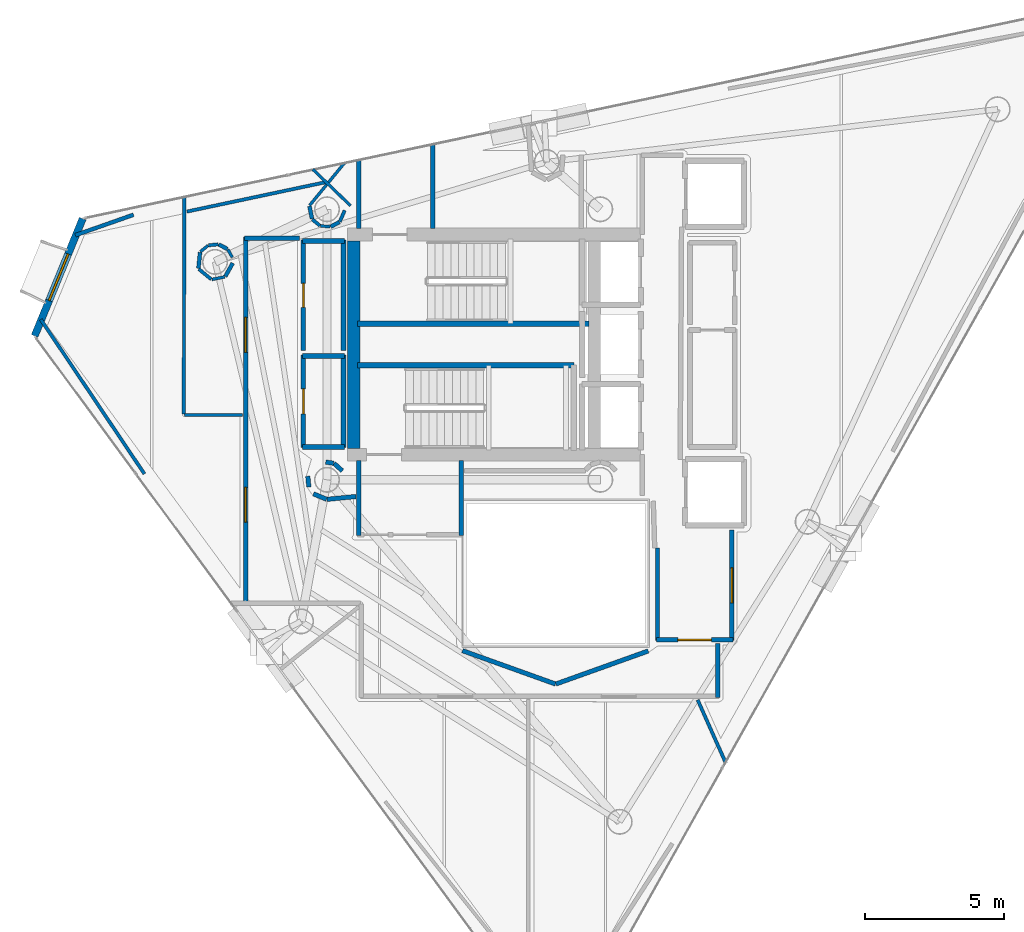
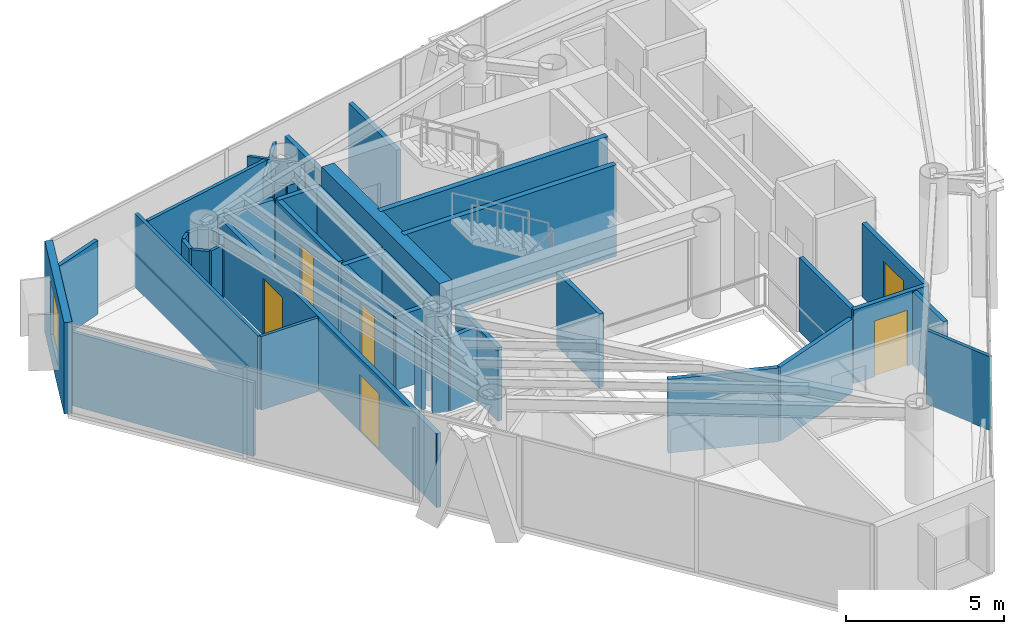
# One storey, part 17 of 21: 49 walls, 6 doors, 1 window, 7 openings.
"""IFC4 building model written with IfcOpenShell, lengths in metres."""

from ifc_helpers import new_model, si_unit, direction, frame, frame_2d, origin, place, context, subcontext, project, spatial, rectangle, extrude, material, layer, layer_set, type_object, element, fill, save


model = new_model("IFC4")

# Units and contexts
model_context = context("Model", 3, precision=1e-05, world=origin(), true_north=direction((0.0, 1.0)))
body_context = subcontext(model_context, "Body", "Model", "MODEL_VIEW")
ifc_project = project(units=[si_unit("LENGTHUNIT", "METRE"), si_unit("AREAUNIT", "SQUARE_METRE"), si_unit("VOLUMEUNIT", "CUBIC_METRE"), si_unit("PLANEANGLEUNIT", "RADIAN"), si_unit("MASSUNIT", "GRAM", prefix="KILO")], contexts=[model_context])

# Site, building, storey
site_placement = place(None, origin())
site = spatial("IfcSite", under=ifc_project, at=site_placement, CompositionType="ELEMENT")
building_placement = place(site_placement, origin())
building = spatial("IfcBuilding", under=site, at=building_placement, Name="Qianvela Tower", CompositionType="ELEMENT")
storey_placement = place(building_placement, frame((0.0, 0.0, 302.800048828125)))
storey = spatial("IfcBuildingStorey", under=building, at=storey_placement, Name="L78", CompositionType="ELEMENT", Elevation=302.800048828125)

# Wall, opening, window
ifc_material_1 = material(Name="Terracotta Cladding on Concrete C40", Category="masonry")
ifc_layer_1 = layer(ifc_material_1, 0.260009765625)
ifc_layer_set_1 = layer_set([ifc_layer_1], Name="Terracotta Cladding on Concrete C40")
wall_type_1 = type_object("IfcWallType", Name="TERRACOTTA-WALL-260", PredefinedType="SOLIDWALL", material=ifc_layer_set_1)
wall_1_placement = place(storey_placement, frame((19.8408203125, 33.21240234375, 0.0), z_axis=(0.0, 0.0, 1.0), x_axis=(-0.379356962743, -0.925250395741, 0.0)))
wall_1 = element("IfcWall", 1, at=wall_1_placement, inside=storey, type_object=wall_type_1, Name="L78 Terracotta Chamfer Facet Wall 3", PredefinedType="SOLIDWALL", context=body_context, shape_type="SweptSolid", body=[
    extrude(rectangle(XDim=4.541748046875, YDim=0.260009765625, at=frame_2d((2.27099609375, 0.0))), origin(), (0.0, 0.0, 1.0), 3.52001953125),
])
opening_1_placement = place(wall_1_placement, frame((1.370849609375, 0.0, 0.85009765625)))
opening_1 = element("IfcOpeningElement", 2, at=opening_1_placement, cuts=wall_1, Name="Opening W-01", PredefinedType="OPENING", context=body_context, shape_type="SweptSolid", body=[
    extrude(rectangle(XDim=1.800048828125, YDim=2.10009765625, at=frame_2d((0.89990234375, 1.050048828125))), frame((0.0, 0.139892578125, 0.0), z_axis=(0.0, -1.0, 0.0), x_axis=(1.0, 0.0, 0.0)), (0.0, 0.0, 1.0), 0.280029296875),
])
ifc_material_2 = material(Name="Thermally Broken Aluminium and Low-E Glass", Category="aluminium")
window_type = type_object("IfcWindowType", Name="WIN-TC-1800x2100", PartitioningType="DOUBLE_PANEL_VERTICAL", PredefinedType="WINDOW", material=ifc_material_2)
window_placement = place(opening_1_placement, origin())
window = element("IfcWindow", 3, at=window_placement, inside=storey, type_object=window_type, Name="L78 Chamfer Facet Window 3.1", OverallHeight=2.10009765625, OverallWidth=1.800048828125, PartitioningType="SINGLE_PANEL", PredefinedType="WINDOW", context=body_context, shape_type="SweptSolid", body=[
    extrude(rectangle(XDim=1.800048828125, YDim=2.10009765625, at=frame_2d((0.89990234375, 1.050048828125))), frame((0.0, 0.030029296875, 0.0), z_axis=(0.0, -1.0, 0.0), x_axis=(1.0, 0.0, 0.0)), (0.0, 0.0, 1.0), 0.06005859375),
])
fill(opening_1, window)

# Walls
ifc_material_3 = material(Name="Concrete C50", Category="concrete")
ifc_layer_2 = layer(ifc_material_3, 0.449951171875)
ifc_layer_set_2 = layer_set([ifc_layer_2], Name="Concrete C50")
wall_type_2 = type_object("IfcWallType", Name="WT-CORE-450", PredefinedType="SHEAR", material=ifc_layer_set_2)
wall_2_placement = place(storey_placement, frame((29.554931640625, 24.97998046875, 0.0), z_axis=(0.0, 0.0, 1.0), x_axis=(0.0, 1.0, 0.0)))
element("IfcWall", 4, at=wall_2_placement, inside=storey, type_object=wall_type_2, Name="L78 West Core Shear Wall", PredefinedType="SHEAR", context=body_context, shape_type="SweptSolid", body=[
    extrude(rectangle(XDim=7.43994140625, YDim=0.449951171875, at=frame_2d((3.719970703125, 0.0))), origin(), (0.0, 0.0, 1.0), 3.52001953125),
])
ifc_material_4 = material(Name="Fire-Rated Gypsum and Concrete Block", Category="concrete")
ifc_layer_3 = layer(ifc_material_4, 0.159912109375)
ifc_layer_set_3 = layer_set([ifc_layer_3], Name="Fire-Rated Gypsum and Concrete Block")
wall_type_3 = type_object("IfcWallType", Name="WT-CORR-160", PredefinedType="PARTITIONING", material=ifc_layer_set_3)
wall_3_placement = place(storey_placement, frame((29.73095703125, 32.85791015625, 0.0), z_axis=(0.0, 0.0, 1.0), x_axis=(0.0, 1.0, 0.0)))
element("IfcWall", 5, at=wall_3_placement, inside=storey, type_object=wall_type_3, Name="L78 Partition 1", PredefinedType="PARTITIONING", context=body_context, shape_type="SweptSolid", body=[
    extrude(rectangle(XDim=2.470947265625, YDim=0.159912109375, at=frame_2d((1.2353515625, 0.0))), origin(), (0.0, 0.0, 1.0), 2.83984375),
])
wall_4_placement = place(storey_placement, frame((32.388916015625, 35.89208984375, 0.0), z_axis=(0.0, 0.0, 1.0), x_axis=(0.0, -1.0, 0.0)))
element("IfcWall", 6, at=wall_4_placement, inside=storey, type_object=wall_type_3, Name="L78 Partition 4", PredefinedType="PARTITIONING", context=body_context, shape_type="SweptSolid", body=[
    extrude(rectangle(XDim=3.0341796875, YDim=0.159912109375, at=frame_2d((1.51708984375, 0.0))), origin(), (0.0, 0.0, 1.0), 2.83984375),
])
for number, where, z_axis, x_axis, name in (
    (7, (29.73095703125, 21.85009765625, 0.0), (0.0, 0.0, 1.0), (0.0, 1.0, 0.0), "L78 Partition 7"),
    (8, (33.4189453125, 24.5419921875, 0.0), (0.0, 0.0, 1.0), (0.0, -1.0, 0.0), "L78 Partition 9"),
):
    element("IfcWall", number, at=place(storey_placement, frame(where, z_axis=z_axis, x_axis=x_axis)), inside=storey, type_object=wall_type_3, Name=name, PredefinedType="PARTITIONING", context=body_context, shape_type="SweptSolid", body=[
        extrude(rectangle(XDim=2.69189453125, YDim=0.159912109375, at=frame_2d((1.345947265625, 0.0))), origin(), (0.0, 0.0, 1.0), 2.83984375),
    ])

# Wall, opening, door
wall_5_placement = place(storey_placement, frame((43.118896484375, 22.050048828125, 0.0), z_axis=(0.0, 0.0, 1.0), x_axis=(0.0, -1.0, 0.0)))
wall_5 = element("IfcWall", 9, at=wall_5_placement, inside=storey, type_object=wall_type_3, Name="L78 Partition 17", PredefinedType="PARTITIONING", context=body_context, shape_type="SweptSolid", body=[
    extrude(rectangle(XDim=3.969970703125, YDim=0.159912109375, at=frame_2d((1.98486328125, 0.0))), origin(), (0.0, 0.0, 1.0), 2.83984375),
])
opening_2_placement = place(wall_5_placement, frame((1.360107421875, 0.0, 0.0)))
opening_2 = element("IfcOpeningElement", 10, at=opening_2_placement, cuts=wall_5, Name="Opening D-LG1", PredefinedType="OPENING", context=body_context, shape_type="SweptSolid", body=[
    extrude(rectangle(XDim=1.25, YDim=2.199951171875, at=frame_2d((0.625, 1.10009765625))), frame((0.0, 0.08984375, 0.0), z_axis=(0.0, -1.0, 0.0), x_axis=(1.0, 0.0, 0.0)), (0.0, 0.0, 1.0), 0.179931640625),
])
ifc_material_5 = material(Name="Anodised Aluminium Acoustic Glass Door", Category="aluminium")
door_type_1 = type_object("IfcDoorType", Name="DT-LOUNGE-1250", OperationType="NOTDEFINED", PredefinedType="DOOR", material=ifc_material_5)
door_1_placement = place(opening_2_placement, origin())
door_1 = element("IfcDoor", 11, at=door_1_placement, inside=storey, type_object=door_type_1, Name="L78 Door Quiet Reading Study L78-04 to L78 Lift Lobby", OperationType="SINGLE_SWING_RIGHT", OverallHeight=2.199951171875, OverallWidth=1.25, PredefinedType="DOOR", context=body_context, shape_type="SweptSolid", body=[
    extrude(rectangle(XDim=1.25, YDim=2.199951171875, at=frame_2d((0.625, 1.10009765625))), frame((0.0, 0.02490234375, 0.0), z_axis=(0.0, -1.0, 0.0), x_axis=(1.0, 0.0, 0.0)), (0.0, 0.0, 1.0), 0.050048828125),
])
fill(opening_2, door_1)

wall_6_placement = place(storey_placement, frame((43.14990234375, 18.111083984375, 0.0), z_axis=(0.0, 0.0, 1.0), x_axis=(-1.0, 0.0, 0.0)))
wall_6 = element("IfcWall", 12, at=wall_6_placement, inside=storey, type_object=wall_type_3, Name="L78 Partition 18", PredefinedType="PARTITIONING", context=body_context, shape_type="SweptSolid", body=[
    extrude(rectangle(XDim=2.72998046875, YDim=0.159912109375, at=frame_2d((1.364990234375, 0.0))), origin(), (0.0, 0.0, 1.0), 2.83984375),
])
opening_3_placement = place(wall_6_placement, frame((0.764892578125, 0.0, 0.0)))
opening_3 = element("IfcOpeningElement", 13, at=opening_3_placement, cuts=wall_6, Name="Opening D-LB1", PredefinedType="OPENING", context=body_context, shape_type="SweptSolid", body=[
    extrude(rectangle(XDim=1.199951171875, YDim=2.14990234375, at=frame_2d((0.60009765625, 1.074951171875))), frame((0.0, 0.08984375, 0.0), z_axis=(0.0, -1.0, 0.0), x_axis=(1.0, 0.0, 0.0)), (0.0, 0.0, 1.0), 0.179931640625),
])
ifc_material_6 = material(Name="Glazed Fire-Rated Steel Frame", Category="steel")
door_type_2 = type_object("IfcDoorType", Name="DT-LOBBY-FD90", OperationType="NOTDEFINED", PredefinedType="DOOR", material=ifc_material_6)
door_2_placement = place(opening_3_placement, origin())
door_2 = element("IfcDoor", 14, at=door_2_placement, inside=storey, type_object=door_type_2, Name="L78 Door L78 Lift Lobby to L78 Floor Corridor", OperationType="SINGLE_SWING_LEFT", OverallHeight=2.14990234375, OverallWidth=1.199951171875, PredefinedType="DOOR", context=body_context, shape_type="SweptSolid", body=[
    extrude(rectangle(XDim=1.199951171875, YDim=2.14990234375, at=frame_2d((0.60009765625, 1.074951171875))), frame((0.0, 0.02490234375, 0.0), z_axis=(0.0, -1.0, 0.0), x_axis=(1.0, 0.0, 0.0)), (0.0, 0.0, 1.0), 0.050048828125),
])
fill(opening_3, door_2)

# Walls
wall_7_placement = place(storey_placement, frame((40.450927734375, 18.080078125, 0.0), z_axis=(0.0, 0.0, 1.0), x_axis=(0.0, 1.0, 0.0)))
element("IfcWall", 15, at=wall_7_placement, inside=storey, type_object=wall_type_3, Name="L78 Partition 19 seg 1", PredefinedType="PARTITIONING", context=body_context, shape_type="SweptSolid", body=[
    extrude(rectangle(XDim=3.31982421875, YDim=0.159912109375, at=frame_2d((1.659912109375, 0.0))), origin(), (0.0, 0.0, 1.0), 2.83984375),
])
wall_8_placement = place(storey_placement, frame((29.148681640625, 24.173095703125, 0.0), z_axis=(0.0, 0.0, 1.0), x_axis=(-0.745225165416, 0.666812906917, 0.0)))
element("IfcWall", 16, at=wall_8_placement, inside=storey, type_object=wall_type_3, Name="L78 Partition 52", PredefinedType="PARTITIONING", context=body_context, shape_type="SweptSolid", body=[
    extrude(rectangle(XDim=0.3955078125, YDim=0.159912109375, at=frame_2d((0.19775390625, 0.0))), origin(), (0.0, 0.0, 1.0), 2.83984375),
])
wall_9_placement = place(storey_placement, frame((28.837890625, 24.444091796875, 0.0), z_axis=(0.0, 0.0, 1.0), x_axis=(-0.989449148305, 0.144880581578, 0.0)))
element("IfcWall", 17, at=wall_9_placement, inside=storey, type_object=wall_type_3, Name="L78 Partition 53", PredefinedType="PARTITIONING", context=body_context, shape_type="SweptSolid", body=[
    extrude(rectangle(XDim=0.286376953125, YDim=0.159912109375, at=frame_2d((0.14306640625, 0.0))), origin(), (0.0, 0.0, 1.0), 2.83984375),
])
wall_10_placement = place(storey_placement, frame((25.64990234375, 32.51904296875, 0.0), z_axis=(0.0, 0.0, 1.0), x_axis=(1.0, 0.0, 0.0)))
element("IfcWall", 18, at=wall_10_placement, inside=storey, type_object=wall_type_3, Name="L78 Partition 63", PredefinedType="PARTITIONING", context=body_context, shape_type="SweptSolid", body=[
    extrude(rectangle(XDim=1.97021484375, YDim=0.159912109375, at=frame_2d((0.985107421875, 0.0))), origin(), (0.0, 0.0, 1.0), 2.83984375),
])
wall_11_placement = place(storey_placement, frame((27.912109375, 23.977783203125, 0.0), z_axis=(0.0, 0.0, 1.0), x_axis=(0.097888269922, -0.995197410875, 0.0)))
element("IfcWall", 19, at=wall_11_placement, inside=storey, type_object=wall_type_3, Name="L78 Partition 65", PredefinedType="PARTITIONING", context=body_context, shape_type="SweptSolid", body=[
    extrude(rectangle(XDim=0.38916015625, YDim=0.159912109375, at=frame_2d((0.194580078125, 0.0))), origin(), (0.0, 0.0, 1.0), 2.83984375),
])
wall_12_placement = place(storey_placement, frame((28.114501953125, 23.34765625, 0.0), z_axis=(0.0, 0.0, 1.0), x_axis=(0.923807847969, -0.382856448334, 0.0)))
element("IfcWall", 20, at=wall_12_placement, inside=storey, type_object=wall_type_3, Name="L78 Partition 66", PredefinedType="PARTITIONING", context=body_context, shape_type="SweptSolid", body=[
    extrude(rectangle(XDim=0.5126953125, YDim=0.159912109375, at=frame_2d((0.25634765625, 0.0))), origin(), (0.0, 0.0, 1.0), 2.83984375),
])
wall_13_placement = place(storey_placement, frame((28.60302734375, 23.149169921875, 0.0), z_axis=(0.0, 0.0, 1.0), x_axis=(0.995179827095, 0.098066873836, 0.0)))
element("IfcWall", 21, at=wall_13_placement, inside=storey, type_object=wall_type_3, Name="L78 Partition 67", PredefinedType="PARTITIONING", context=body_context, shape_type="SweptSolid", body=[
    extrude(rectangle(XDim=1.043212890625, YDim=0.159912109375, at=frame_2d((0.521484375, 0.0))), origin(), (0.0, 0.0, 1.0), 2.83984375),
])
wall_14_placement = place(storey_placement, frame((33.45751953125, 17.723876953125, 0.0), z_axis=(0.0, 0.0, 1.0), x_axis=(0.94128854789, -0.337603124408, 0.0)))
element("IfcWall", 22, at=wall_14_placement, inside=storey, type_object=wall_type_3, Name="L78 Partition 70", PredefinedType="PARTITIONING", context=body_context, shape_type="SweptSolid", body=[
    extrude(rectangle(XDim=3.539794921875, YDim=0.159912109375, at=frame_2d((1.77001953125, 0.0))), origin(), (0.0, 0.0, 1.0), 2.83984375),
])
wall_15_placement = place(storey_placement, frame((36.810302734375, 16.52880859375, 0.0), z_axis=(0.0, 0.0, 1.0), x_axis=(0.941548344365, 0.33687789364, 0.0)))
element("IfcWall", 23, at=wall_15_placement, inside=storey, type_object=wall_type_3, Name="L78 Partition 71", PredefinedType="PARTITIONING", context=body_context, shape_type="SweptSolid", body=[
    extrude(rectangle(XDim=3.5126953125, YDim=0.159912109375, at=frame_2d((1.75634765625, 0.0))), origin(), (0.0, 0.0, 1.0), 2.83984375),
])
wall_16_placement = place(storey_placement, frame((42.618896484375, 17.97998046875, 0.0), z_axis=(0.0, 0.0, 1.0), x_axis=(0.0, -1.0, 0.0)))
element("IfcWall", 24, at=wall_16_placement, inside=storey, type_object=wall_type_3, Name="L78 Partition 73", PredefinedType="PARTITIONING", context=body_context, shape_type="SweptSolid", body=[
    extrude(rectangle(XDim=1.929931640625, YDim=0.159912109375, at=frame_2d((0.96484375, 0.0))), origin(), (0.0, 0.0, 1.0), 2.83984375),
])

# Wall, openings, doors
wall_17_placement = place(storey_placement, frame((25.680908203125, 18.701904296875, 0.0), z_axis=(0.0, 0.0, 1.0), x_axis=(0.0, 1.0, 0.0)))
wall_17 = element("IfcWall", 25, at=wall_17_placement, inside=storey, type_object=wall_type_3, Name="L78 Partition 77", PredefinedType="PARTITIONING", context=body_context, shape_type="SweptSolid", body=[
    extrude(rectangle(XDim=13.84814453125, YDim=0.159912109375, at=frame_2d((6.924072265625, 0.0))), origin(), (0.0, 0.0, 1.0), 2.83984375),
])
opening_4_placement = place(wall_17_placement, frame((3.62744140625, 0.0, 0.0)))
opening_4 = element("IfcOpeningElement", 26, at=opening_4_placement, cuts=wall_17, Name="Opening D-LG1", PredefinedType="OPENING", context=body_context, shape_type="SweptSolid", body=[
    extrude(rectangle(XDim=1.25, YDim=2.199951171875, at=frame_2d((0.625, 1.10009765625))), frame((0.0, 0.08984375, 0.0), z_axis=(0.0, -1.0, 0.0), x_axis=(1.0, 0.0, 0.0)), (0.0, 0.0, 1.0), 0.179931640625),
])
opening_5_placement = place(wall_17_placement, frame((9.719970703125, 0.0, 0.0)))
opening_5 = element("IfcOpeningElement", 27, at=opening_5_placement, cuts=wall_17, Name="Opening D-LG1", PredefinedType="OPENING", context=body_context, shape_type="SweptSolid", body=[
    extrude(rectangle(XDim=1.25, YDim=2.199951171875, at=frame_2d((0.625, 1.10009765625))), frame((0.0, 0.08984375, 0.0), z_axis=(0.0, -1.0, 0.0), x_axis=(1.0, 0.0, 0.0)), (0.0, 0.0, 1.0), 0.179931640625),
])
door_3_placement = place(opening_4_placement, origin())
door_3 = element("IfcDoor", 28, at=door_3_placement, inside=storey, type_object=door_type_1, Name="L78 Door Debate Lecture Classroom L78-01 to L78 Floor Corridor", OperationType="SINGLE_SWING_LEFT", OverallHeight=2.199951171875, OverallWidth=1.25, PredefinedType="DOOR", context=body_context, shape_type="SweptSolid", body=[
    extrude(rectangle(XDim=1.25, YDim=2.199951171875, at=frame_2d((0.625, 1.10009765625))), frame((0.0, 0.02490234375, 0.0), z_axis=(0.0, -1.0, 0.0), x_axis=(1.0, 0.0, 0.0)), (0.0, 0.0, 1.0), 0.050048828125),
])
fill(opening_4, door_3)
door_4_placement = place(opening_5_placement, origin())
door_4 = element("IfcDoor", 29, at=door_4_placement, inside=storey, type_object=door_type_1, Name="L78 Door Panoramic Study Lounge L78-05 to L78 Floor Corridor", OperationType="SINGLE_SWING_LEFT", OverallHeight=2.199951171875, OverallWidth=1.25, PredefinedType="DOOR", context=body_context, shape_type="SweptSolid", body=[
    extrude(rectangle(XDim=1.25, YDim=2.199951171875, at=frame_2d((0.625, 1.10009765625))), frame((0.0, 0.02490234375, 0.0), z_axis=(0.0, -1.0, 0.0), x_axis=(1.0, 0.0, 0.0)), (0.0, 0.0, 1.0), 0.050048828125),
])
fill(opening_5, door_4)

# Walls
ifc_material_7 = material(Name="Lightweight Gypsum Room Partition")
ifc_layer_4 = layer(ifc_material_7, 0.10498046875)
ifc_layer_set_4 = layer_set([ifc_layer_4], Name="Lightweight Gypsum Room Partition")
wall_type_4 = type_object("IfcWallType", Name="WT-PART-105", PredefinedType="PARTITIONING", material=ifc_layer_set_4)
wall_18_placement = place(storey_placement, frame((23.496826171875, 26.16943359375, 0.0), z_axis=(0.0, 0.0, 1.0), x_axis=(1.0, 0.0, 0.0)))
element("IfcWall", 30, at=wall_18_placement, inside=storey, type_object=wall_type_4, Name="L78 Partition 79", PredefinedType="PARTITIONING", context=body_context, shape_type="SweptSolid", body=[
    extrude(rectangle(XDim=2.0732421875, YDim=0.10498046875, at=frame_2d((1.03662109375, 0.0))), origin(), (0.0, 0.0, 1.0), 2.83984375),
])
wall_19_placement = place(storey_placement, frame((25.20263671875, 31.8291015625, 0.0), z_axis=(0.0, 0.0, 1.0), x_axis=(-0.488926990846, 0.872324708823, 0.0)))
element("IfcWall", 31, at=wall_19_placement, inside=storey, type_object=wall_type_4, Name="L78 Partition 118", PredefinedType="PARTITIONING", context=body_context, shape_type="SweptSolid", body=[
    extrude(rectangle(XDim=0.321533203125, YDim=0.10498046875, at=frame_2d((0.16064453125, 0.0))), origin(), (0.0, 0.0, 1.0), 2.83984375),
])
wall_20_placement = place(storey_placement, frame((24.333984375, 32.25048828125, 0.0), z_axis=(0.0, 0.0, 1.0), x_axis=(-0.773281307259, -0.634063103992, 0.0)))
element("IfcWall", 32, at=wall_20_placement, inside=storey, type_object=wall_type_4, Name="L78 Partition 121", PredefinedType="PARTITIONING", context=body_context, shape_type="SweptSolid", body=[
    extrude(rectangle(XDim=0.354248046875, YDim=0.10498046875, at=frame_2d((0.17724609375, 0.0))), origin(), (0.0, 0.0, 1.0), 2.83984375),
])
wall_21_placement = place(storey_placement, frame((24.47412109375, 31.0341796875, 0.0), z_axis=(0.0, 0.0, 1.0), x_axis=(0.980681129405, 0.195613195945, 0.0)))
element("IfcWall", 33, at=wall_21_placement, inside=storey, type_object=wall_type_4, Name="L78 Partition 124", PredefinedType="PARTITIONING", context=body_context, shape_type="SweptSolid", body=[
    extrude(rectangle(XDim=0.466796875, YDim=0.10498046875, at=frame_2d((0.2333984375, 0.0))), origin(), (0.0, 0.0, 1.0), 2.83984375),
])
wall_22_placement = place(storey_placement, frame((28.096435546875, 34.979248046875, 0.0), z_axis=(0.0, 0.0, 1.0), x_axis=(0.719392468402, -0.694603826945, 0.0)))
element("IfcWall", 34, at=wall_22_placement, inside=storey, type_object=wall_type_4, Name="L78 Partition 130", PredefinedType="PARTITIONING", context=body_context, shape_type="SweptSolid", body=[
    extrude(rectangle(XDim=1.871337890625, YDim=0.10498046875, at=frame_2d((0.935546875, 0.0))), origin(), (0.0, 0.0, 1.0), 2.83984375),
])
wall_23_placement = place(storey_placement, frame((29.23095703125, 35.215576171875, 0.0), z_axis=(0.0, 0.0, 1.0), x_axis=(-0.634428353152, -0.772981671656, 0.0)))
element("IfcWall", 35, at=wall_23_placement, inside=storey, type_object=wall_type_4, Name="L78 Partition 133", PredefinedType="PARTITIONING", context=body_context, shape_type="SweptSolid", body=[
    extrude(rectangle(XDim=1.975341796875, YDim=0.10498046875, at=frame_2d((0.98779296875, 0.0))), origin(), (0.0, 0.0, 1.0), 2.83984375),
])
wall_24_placement = place(storey_placement, frame((28.363525390625, 32.95556640625, 0.0), z_axis=(0.0, 0.0, 1.0), x_axis=(0.995199611942, -0.097865889817, 0.0)))
element("IfcWall", 36, at=wall_24_placement, inside=storey, type_object=wall_type_4, Name="L78 Partition 136", PredefinedType="PARTITIONING", context=body_context, shape_type="SweptSolid", body=[
    extrude(rectangle(XDim=0.354248046875, YDim=0.10498046875, at=frame_2d((0.17724609375, 0.0))), origin(), (0.0, 0.0, 1.0), 2.83984375),
])
ifc_material_8 = material(Name="Insulated Gypsum Stud Partition")
ifc_layer_5 = layer(ifc_material_8, 0.1201171875)
ifc_layer_set_5 = layer_set([ifc_layer_5], Name="Insulated Gypsum Stud Partition")
wall_type_5 = type_object("IfcWallType", Name="WT-PART-120", PredefinedType="PARTITIONING", material=ifc_layer_set_5)
wall_25_placement = place(storey_placement, frame((23.484375, 34.0048828125, 0.0), z_axis=(0.0, 0.0, 1.0), x_axis=(-0.002377445028, -0.999997173874, 0.0)))
element("IfcWall", 37, at=wall_25_placement, inside=storey, type_object=wall_type_5, Name="L78 Partition 78", PredefinedType="PARTITIONING", context=body_context, shape_type="SweptSolid", body=[
    extrude(rectangle(XDim=7.804443359375, YDim=0.1201171875, at=frame_2d((3.90234375, 0.0))), origin(), (0.0, 0.0, 1.0), 2.83984375),
])
wall_26_placement = place(storey_placement, frame((22.05419921875, 24.060546875, 0.0), z_axis=(0.0, 0.0, 1.0), x_axis=(-0.557190761307, 0.830384522684, 0.0)))
element("IfcWall", 38, at=wall_26_placement, inside=storey, type_object=wall_type_5, Name="L78 Partition 81 seg 1", PredefinedType="PARTITIONING", context=body_context, shape_type="SweptSolid", body=[
    extrude(rectangle(XDim=6.666748046875, YDim=0.1201171875, at=frame_2d((3.33349609375, 0.0))), origin(), (0.0, 0.0, 1.0), 2.83984375),
])
wall_27_placement = place(storey_placement, frame((41.891357421875, 15.95751953125, 0.0), z_axis=(0.0, 0.0, 1.0), x_axis=(0.406778687401, -0.913526737144, 0.0)))
element("IfcWall", 39, at=wall_27_placement, inside=storey, type_object=wall_type_5, Name="L78 Partition 93", PredefinedType="PARTITIONING", context=body_context, shape_type="SweptSolid", body=[
    extrude(rectangle(XDim=2.476318359375, YDim=0.1201171875, at=frame_2d((1.23828125, 0.0))), origin(), (0.0, 0.0, 1.0), 2.83984375),
])
wall_28_placement = place(storey_placement, frame((24.702880859375, 32.2919921875, 0.0), z_axis=(0.0, 0.0, 1.0), x_axis=(-0.995193004206, -0.097933060705, 0.0)))
element("IfcWall", 40, at=wall_28_placement, inside=storey, type_object=wall_type_5, Name="L78 Partition 120", PredefinedType="PARTITIONING", context=body_context, shape_type="SweptSolid", body=[
    extrude(rectangle(XDim=0.35400390625, YDim=0.1201171875, at=frame_2d((0.177001953125, 0.0))), origin(), (0.0, 0.0, 1.0), 2.83984375),
])
wall_29_placement = place(storey_placement, frame((24.00390625, 31.405517578125, 0.0), z_axis=(0.0, 0.0, 1.0), x_axis=(0.772934514443, -0.634485804713, 0.0)))
element("IfcWall", 41, at=wall_29_placement, inside=storey, type_object=wall_type_5, Name="L78 Partition 123", PredefinedType="PARTITIONING", context=body_context, shape_type="SweptSolid", body=[
    extrude(rectangle(XDim=0.574951171875, YDim=0.1201171875, at=frame_2d((0.28759765625, 0.0))), origin(), (0.0, 0.0, 1.0), 2.83984375),
])
wall_30_placement = place(storey_placement, frame((23.580810546875, 33.467529296875, 0.0), z_axis=(0.0, 0.0, 1.0), x_axis=(0.978268763822, 0.207340844336, 0.0)))
element("IfcWall", 42, at=wall_30_placement, inside=storey, type_object=wall_type_5, Name="L78 Partition 129", PredefinedType="PARTITIONING", context=body_context, shape_type="SweptSolid", body=[
    extrude(rectangle(XDim=5.11376953125, YDim=0.1201171875, at=frame_2d((2.556884765625, 0.0))), origin(), (0.0, 0.0, 1.0), 2.83984375),
])
wall_31_placement = place(storey_placement, frame((28.072998046875, 33.18701171875, 0.0), z_axis=(0.0, 0.0, 1.0), x_axis=(0.773281307259, -0.634063103992, 0.0)))
element("IfcWall", 43, at=wall_31_placement, inside=storey, type_object=wall_type_5, Name="L78 Partition 135", PredefinedType="PARTITIONING", context=body_context, shape_type="SweptSolid", body=[
    extrude(rectangle(XDim=0.354248046875, YDim=0.1201171875, at=frame_2d((0.17724609375, 0.0))), origin(), (0.0, 0.0, 1.0), 2.83984375),
])
wall_32_placement = place(storey_placement, frame((29.059814453125, 33.106201171875, 0.0), z_axis=(0.0, 0.0, 1.0), x_axis=(0.400352069216, 0.916361402872, 0.0)))
element("IfcWall", 44, at=wall_32_placement, inside=storey, type_object=wall_type_5, Name="L78 Partition 138", PredefinedType="PARTITIONING", context=body_context, shape_type="SweptSolid", body=[
    extrude(rectangle(XDim=0.43896484375, YDim=0.1201171875, at=frame_2d((0.219482421875, 0.0))), origin(), (0.0, 0.0, 1.0), 2.83984375),
])

# Wall, opening, door
ifc_material_9 = material(Name="Moisture-Resistant Acoustic Plumbing Wall")
ifc_layer_6 = layer(ifc_material_9, 0.175048828125)
ifc_layer_set_6 = layer_set([ifc_layer_6], Name="Moisture-Resistant Acoustic Plumbing Wall")
wall_type_6 = type_object("IfcWallType", Name="WT-PLUMB-175", PredefinedType="PLUMBINGWALL", material=ifc_layer_set_6)
wall_33_placement = place(storey_placement, frame((27.7509765625, 25.0, 0.0), z_axis=(0.0, 0.0, 1.0), x_axis=(0.0, 1.0, 0.0)))
wall_33 = element("IfcWall", 45, at=wall_33_placement, inside=storey, type_object=wall_type_6, Name="L78 Partition 28", PredefinedType="PLUMBINGWALL", context=body_context, shape_type="SweptSolid", body=[
    extrude(rectangle(XDim=3.320068359375, YDim=0.175048828125, at=frame_2d((1.66015625, 0.0))), origin(), (0.0, 0.0, 1.0), 2.83984375),
])
opening_6_placement = place(wall_33_placement, frame((1.2099609375, 0.0, 0.0)))
opening_6 = element("IfcOpeningElement", 46, at=opening_6_placement, cuts=wall_33, Name="Opening D-KT1", PredefinedType="OPENING", context=body_context, shape_type="SweptSolid", body=[
    extrude(rectangle(XDim=0.89990234375, YDim=2.10009765625, at=frame_2d((0.449951171875, 1.050048828125))), frame((0.0, 0.097412109375, 0.0), z_axis=(0.0, -1.0, 0.0), x_axis=(1.0, 0.0, 0.0)), (0.0, 0.0, 1.0), 0.195068359375),
])
ifc_material_10 = material(Name="Glazed Timber Kitchen Door", Category="wood")
door_type_3 = type_object("IfcDoorType", Name="DT-KITCH-900", OperationType="NOTDEFINED", PredefinedType="DOOR", material=ifc_material_10)
door_5_placement = place(opening_6_placement, origin())
door_5 = element("IfcDoor", 47, at=door_5_placement, inside=storey, type_object=door_type_3, Name="L78 Door L78 Core Tea Pantry West to L78 Floor Corridor", OperationType="SINGLE_SWING_RIGHT", OverallHeight=2.10009765625, OverallWidth=0.89990234375, PredefinedType="DOOR", context=body_context, shape_type="SweptSolid", body=[
    extrude(rectangle(XDim=0.89990234375, YDim=2.10009765625, at=frame_2d((0.449951171875, 1.050048828125))), frame((0.0, 0.02490234375, 0.0), z_axis=(0.0, -1.0, 0.0), x_axis=(1.0, 0.0, 0.0)), (0.0, 0.0, 1.0), 0.050048828125),
])
fill(opening_6, door_5)

# Walls
wall_34_placement = place(storey_placement, frame((27.719970703125, 28.2890625, 0.0), z_axis=(0.0, 0.0, 1.0), x_axis=(1.0, 0.0, 0.0)))
element("IfcWall", 48, at=wall_34_placement, inside=storey, type_object=wall_type_6, Name="L78 Partition 29", PredefinedType="PLUMBINGWALL", context=body_context, shape_type="SweptSolid", body=[
    extrude(rectangle(XDim=1.5, YDim=0.175048828125, at=frame_2d((0.75, 0.0))), origin(), (0.0, 0.0, 1.0), 2.83984375),
])
wall_35_placement = place(storey_placement, frame((29.18896484375, 28.320068359375, 0.0), z_axis=(0.0, 0.0, 1.0), x_axis=(0.0, -1.0, 0.0)))
element("IfcWall", 49, at=wall_35_placement, inside=storey, type_object=wall_type_6, Name="L78 Partition 30", PredefinedType="PLUMBINGWALL", context=body_context, shape_type="SweptSolid", body=[
    extrude(rectangle(XDim=3.320068359375, YDim=0.175048828125, at=frame_2d((1.66015625, 0.0))), origin(), (0.0, 0.0, 1.0), 2.83984375),
])
wall_36_placement = place(storey_placement, frame((29.219970703125, 25.031005859375, 0.0), z_axis=(0.0, 0.0, 1.0), x_axis=(-1.0, 0.0, 0.0)))
element("IfcWall", 50, at=wall_36_placement, inside=storey, type_object=wall_type_6, Name="L78 Partition 31", PredefinedType="PLUMBINGWALL", context=body_context, shape_type="SweptSolid", body=[
    extrude(rectangle(XDim=1.5, YDim=0.175048828125, at=frame_2d((0.75, 0.0))), origin(), (0.0, 0.0, 1.0), 2.83984375),
])

# Wall, opening, door
wall_37_placement = place(storey_placement, frame((27.7509765625, 28.47998046875, 0.0), z_axis=(0.0, 0.0, 1.0), x_axis=(0.0, 1.0, 0.0)))
wall_37 = element("IfcWall", 51, at=wall_37_placement, inside=storey, type_object=wall_type_6, Name="L78 Partition 32", PredefinedType="PLUMBINGWALL", context=body_context, shape_type="SweptSolid", body=[
    extrude(rectangle(XDim=3.969970703125, YDim=0.175048828125, at=frame_2d((1.98486328125, 0.0))), origin(), (0.0, 0.0, 1.0), 2.83984375),
])
opening_7_placement = place(wall_37_placement, frame((1.554931640625, 0.0, 0.0)))
opening_7 = element("IfcOpeningElement", 52, at=opening_7_placement, cuts=wall_37, Name="Opening D-WC1", PredefinedType="OPENING", context=body_context, shape_type="SweptSolid", body=[
    extrude(rectangle(XDim=0.860107421875, YDim=2.050048828125, at=frame_2d((0.43017578125, 1.02490234375))), frame((0.0, 0.097412109375, 0.0), z_axis=(0.0, -1.0, 0.0), x_axis=(1.0, 0.0, 0.0)), (0.0, 0.0, 1.0), 0.195068359375),
])
ifc_material_11 = material(Name="Moisture-Sealed Acoustic Timber Door", Category="wood")
door_type_4 = type_object("IfcDoorType", Name="DT-WC-860", OperationType="NOTDEFINED", PredefinedType="DOOR", material=ifc_material_11)
door_6_placement = place(opening_7_placement, origin())
door_6 = element("IfcDoor", 53, at=door_6_placement, inside=storey, type_object=door_type_4, Name="L78 Door L78 Accessible WC to L78 Floor Corridor", OperationType="SINGLE_SWING_LEFT", OverallHeight=2.050048828125, OverallWidth=0.860107421875, PredefinedType="DOOR", context=body_context, shape_type="SweptSolid", body=[
    extrude(rectangle(XDim=0.860107421875, YDim=2.050048828125, at=frame_2d((0.43017578125, 1.02490234375))), frame((0.0, 0.02490234375, 0.0), z_axis=(0.0, -1.0, 0.0), x_axis=(1.0, 0.0, 0.0)), (0.0, 0.0, 1.0), 0.050048828125),
])
fill(opening_7, door_6)

# Walls
wall_38_placement = place(storey_placement, frame((27.719970703125, 32.4189453125, 0.0), z_axis=(0.0, 0.0, 1.0), x_axis=(1.0, 0.0, 0.0)))
element("IfcWall", 54, at=wall_38_placement, inside=storey, type_object=wall_type_6, Name="L78 Partition 33", PredefinedType="PLUMBINGWALL", context=body_context, shape_type="SweptSolid", body=[
    extrude(rectangle(XDim=1.5, YDim=0.175048828125, at=frame_2d((0.75, 0.0))), origin(), (0.0, 0.0, 1.0), 2.83984375),
])
wall_39_placement = place(storey_placement, frame((29.18896484375, 32.449951171875, 0.0), z_axis=(0.0, 0.0, 1.0), x_axis=(0.0, -1.0, 0.0)))
element("IfcWall", 55, at=wall_39_placement, inside=storey, type_object=wall_type_6, Name="L78 Partition 34", PredefinedType="PLUMBINGWALL", context=body_context, shape_type="SweptSolid", body=[
    extrude(rectangle(XDim=3.969970703125, YDim=0.175048828125, at=frame_2d((1.98486328125, 0.0))), origin(), (0.0, 0.0, 1.0), 2.83984375),
])
ifc_material_12 = material(Name="Acoustic Double Gypsum Stud Partition")
ifc_layer_7 = layer(ifc_material_12, 0.139892578125)
ifc_layer_set_7 = layer_set([ifc_layer_7], Name="Acoustic Double Gypsum Stud Partition")
wall_type_7 = type_object("IfcWallType", Name="WT-ROOM-140", PredefinedType="PARTITIONING", material=ifc_layer_set_7)
wall_40_placement = place(storey_placement, frame((19.579833984375, 32.61962890625, 0.0), z_axis=(0.0, 0.0, 1.0), x_axis=(0.943196306514, 0.332235951363, 0.0)))
element("IfcWall", 56, at=wall_40_placement, inside=storey, type_object=wall_type_7, Name="L78 Partition 83 seg 1", PredefinedType="PARTITIONING", context=body_context, shape_type="SweptSolid", body=[
    extrude(rectangle(XDim=2.208251953125, YDim=0.139892578125, at=frame_2d((1.10400390625, 0.0))), origin(), (0.0, 0.0, 1.0), 2.83984375),
])
wall_41_placement = place(storey_placement, frame((25.032958984375, 32.12158203125, 0.0), z_axis=(0.0, 0.0, 1.0), x_axis=(-0.881817981942, 0.471589913721, 0.0)))
element("IfcWall", 57, at=wall_41_placement, inside=storey, type_object=wall_type_7, Name="L78 Partition 119", PredefinedType="PARTITIONING", context=body_context, shape_type="SweptSolid", body=[
    extrude(rectangle(XDim=0.35400390625, YDim=0.139892578125, at=frame_2d((0.177001953125, 0.0))), origin(), (0.0, 0.0, 1.0), 2.83984375),
])
wall_42_placement = place(storey_placement, frame((24.049072265625, 32.0048828125, 0.0), z_axis=(0.0, 0.0, 1.0), x_axis=(-0.098074389493, -0.995179086459, 0.0)))
element("IfcWall", 58, at=wall_42_placement, inside=storey, type_object=wall_type_7, Name="L78 Partition 122", PredefinedType="PARTITIONING", context=body_context, shape_type="SweptSolid", body=[
    extrude(rectangle(XDim=0.574951171875, YDim=0.139892578125, at=frame_2d((0.28759765625, 0.0))), origin(), (0.0, 0.0, 1.0), 2.83984375),
])
wall_43_placement = place(storey_placement, frame((24.952880859375, 31.140625, 0.0), z_axis=(0.0, 0.0, 1.0), x_axis=(0.489267492682, 0.872133774489, 0.0)))
element("IfcWall", 59, at=wall_43_placement, inside=storey, type_object=wall_type_7, Name="L78 Partition 125", PredefinedType="PARTITIONING", context=body_context, shape_type="SweptSolid", body=[
    extrude(rectangle(XDim=0.54833984375, YDim=0.139892578125, at=frame_2d((0.274169921875, 0.0))), origin(), (0.0, 0.0, 1.0), 2.83984375),
])
wall_44_placement = place(storey_placement, frame((27.97119140625, 33.6630859375, 0.0), z_axis=(0.0, 0.0, 1.0), x_axis=(0.195512911348, -0.980701127508, 0.0)))
element("IfcWall", 60, at=wall_44_placement, inside=storey, type_object=wall_type_7, Name="L78 Partition 134", PredefinedType="PARTITIONING", context=body_context, shape_type="SweptSolid", body=[
    extrude(rectangle(XDim=0.467041015625, YDim=0.139892578125, at=frame_2d((0.2333984375, 0.0))), origin(), (0.0, 0.0, 1.0), 2.83984375),
])
wall_45_placement = place(storey_placement, frame((28.733642578125, 32.92431640625, 0.0), z_axis=(0.0, 0.0, 1.0), x_axis=(0.881817981942, 0.471589913721, 0.0)))
element("IfcWall", 61, at=wall_45_placement, inside=storey, type_object=wall_type_7, Name="L78 Partition 137", PredefinedType="PARTITIONING", context=body_context, shape_type="SweptSolid", body=[
    extrude(rectangle(XDim=0.35400390625, YDim=0.139892578125, at=frame_2d((0.177001953125, 0.0))), origin(), (0.0, 0.0, 1.0), 2.83984375),
])
ifc_material_13 = material(Name="Concrete C50", Category="concrete")
ifc_layer_8 = layer(ifc_material_13, 0.199951171875)
ifc_layer_set_8 = layer_set([ifc_layer_8], Name="Concrete C50")
wall_type_8 = type_object("IfcWallType", Name="WT-SHAFT-200", PredefinedType="SOLIDWALL", material=ifc_layer_set_8)
wall_46_placement = place(storey_placement, frame((29.699951171875, 29.449951171875, 0.0), z_axis=(0.0, 0.0, 1.0), x_axis=(1.0, 0.0, 0.0)))
element("IfcWall", 62, at=wall_46_placement, inside=storey, type_object=wall_type_8, Name="L78 Stair ST-1 South Wall", PredefinedType="SOLIDWALL", context=body_context, shape_type="SweptSolid", body=[
    extrude(rectangle(XDim=8.300048828125, YDim=0.199951171875, at=frame_2d((4.14990234375, 0.0))), origin(), (0.0, 0.0, 1.0), 3.52001953125),
])
wall_47_placement = place(storey_placement, frame((29.699951171875, 27.9599609375, 0.0), z_axis=(0.0, 0.0, 1.0), x_axis=(1.0, 0.0, 0.0)))
element("IfcWall", 63, at=wall_47_placement, inside=storey, type_object=wall_type_8, Name="L78 Stair ST-2 North Wall", PredefinedType="SOLIDWALL", context=body_context, shape_type="SweptSolid", body=[
    extrude(rectangle(XDim=7.75, YDim=0.199951171875, at=frame_2d((3.875, 0.0))), origin(), (0.0, 0.0, 1.0), 3.52001953125),
])

save(model, "model.ifc")
